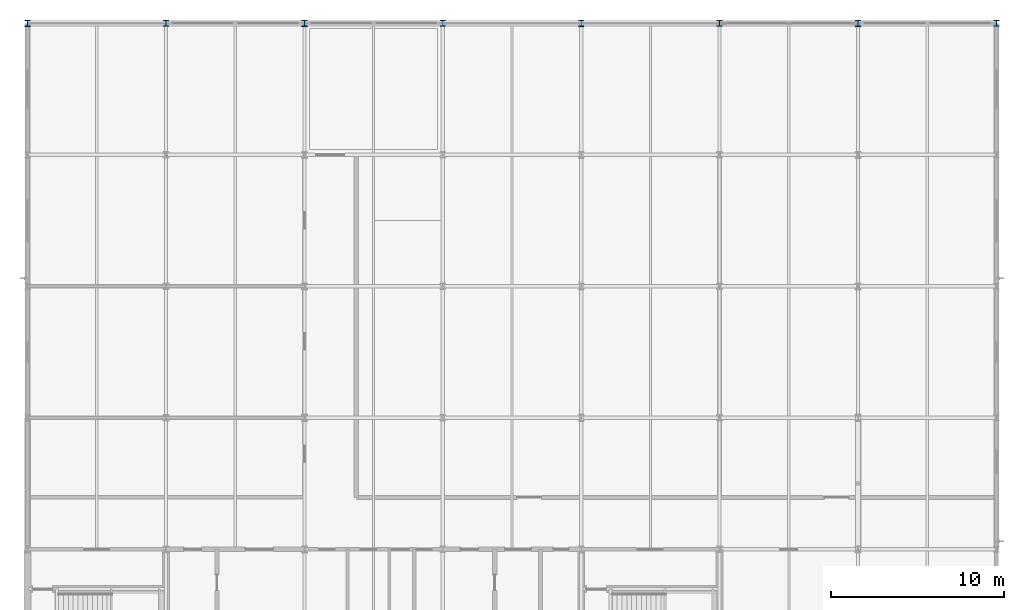
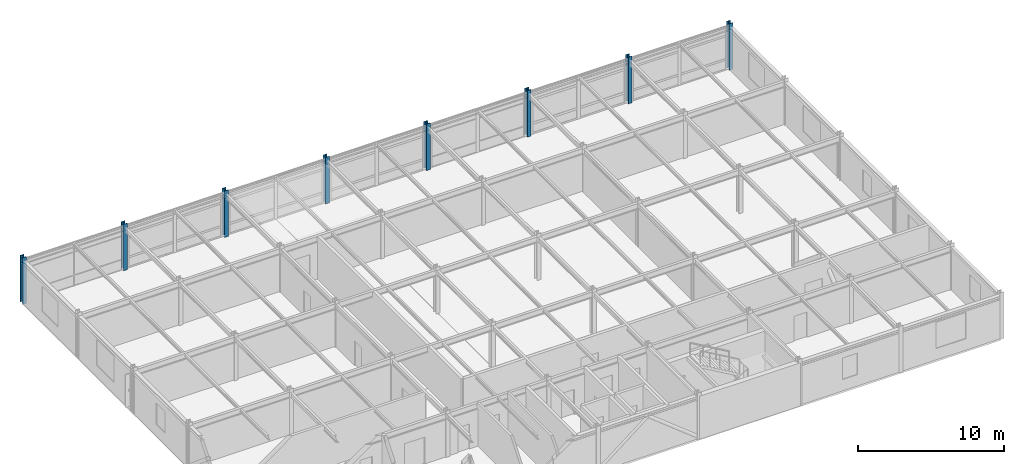
# One storey, part 3 of 15: 8 columns.
"""IFC4 building model written with IfcOpenShell, lengths in metres."""

from ifc_helpers import new_model, si_unit, direction, frame, origin, origin_2d, place, context, subcontext, project, spatial, i_section, extrude, material, material_profile, profile_set, type_object, element, save


model = new_model("IFC4")

# Units and contexts
model_context = context("Model", 3, precision=1e-05, world=origin(), true_north=direction((0.0, 1.0)))
body_context = subcontext(model_context, "Body", "Model", "MODEL_VIEW")
ifc_project = project(units=[si_unit("LENGTHUNIT", "METRE"), si_unit("AREAUNIT", "SQUARE_METRE"), si_unit("VOLUMEUNIT", "CUBIC_METRE"), si_unit("PLANEANGLEUNIT", "RADIAN"), si_unit("MASSUNIT", "GRAM", prefix="KILO")], contexts=[model_context])

# Site, building, storey
site_placement = place(None, origin())
site = spatial("IfcSite", under=ifc_project, at=site_placement, CompositionType="ELEMENT")
building_placement = place(site_placement, origin())
building = spatial("IfcBuilding", under=site, at=building_placement, Name="Shalkamar Park Central Library", CompositionType="ELEMENT")
storey_placement = place(building_placement, frame((0.0, 0.0, 47.699951171875)))
storey = spatial("IfcBuildingStorey", under=building, at=storey_placement, Name="L12", CompositionType="ELEMENT", Elevation=47.699951171875)

# Columns
ifc_material = material(Name="Steel S355", Category="steel")
ifc_material_profile_1 = material_profile(ifc_material, i_section(OverallWidth=0.30908203125, OverallDepth=0.35888671875, WebThickness=0.02099609375, FlangeThickness=0.0400390625, FilletRadius=0.027099609375, at=origin_2d()), Name="HEM 320")
ifc_profile_set_1 = profile_set([ifc_material_profile_1], Name="Steel S355")
column_type_1 = type_object("IfcColumnType", Name="Column Steel HEM320", PredefinedType="COLUMN", material=ifc_profile_set_1)
for number, where, z_axis, x_axis, name in (
    (1, (173.0, 285.60009765625, 0.0), (0.0, 0.0, 1.0), (1.0, 0.0, 0.0), "Column 08/G (L12)"),
    (2, (189.0, 285.60009765625, 0.0), (0.0, 0.0, 1.0), (1.0, 0.0, 0.0), "Column 10/G (L12)"),
    (3, (205.0, 285.60009765625, 0.0), (0.0, 0.0, 1.0), (1.0, 0.0, 0.0), "Column 12/G (L12)"),
    (4, (221.0, 285.60009765625, 0.0), (0.0, 0.0, 1.0), (1.0, 0.0, 0.0), "Column 14/G (L12)"),
):
    element("IfcColumn", number, at=place(storey_placement, frame(where, z_axis=z_axis, x_axis=x_axis)), inside=storey, type_object=column_type_1, Name=name, PredefinedType="COLUMN", context=body_context, shape_type="SweptSolid", body=[
        extrude(i_section(OverallWidth=0.30908203125, OverallDepth=0.35888671875, WebThickness=0.02099609375, FlangeThickness=0.0400390625, FilletRadius=0.027099609375, at=origin_2d()), origin(), (0.0, 0.0, 1.0), 3.900146484375),
    ])
ifc_material_profile_2 = material_profile(ifc_material, i_section(OverallWidth=0.30908203125, OverallDepth=0.376953125, WebThickness=0.02099609375, FlangeThickness=0.0400390625, FilletRadius=0.027099609375, at=origin_2d()), Name="HEM 340")
ifc_profile_set_2 = profile_set([ifc_material_profile_2], Name="Steel S355")
column_type_2 = type_object("IfcColumnType", Name="Column Steel HEM340", PredefinedType="COLUMN", material=ifc_profile_set_2)
for number, where, z_axis, x_axis, name in (
    (5, (165.0, 285.60009765625, 0.0), (0.0, 0.0, 1.0), (1.0, 0.0, 0.0), "Column 07/G (L12)"),
    (6, (181.0, 285.60009765625, 0.0), (0.0, 0.0, 1.0), (1.0, 0.0, 0.0), "Column 09/G (L12)"),
    (7, (197.0, 285.60009765625, 0.0), (0.0, 0.0, 1.0), (1.0, 0.0, 0.0), "Column 11/G (L12)"),
    (8, (213.0, 285.60009765625, 0.0), (0.0, 0.0, 1.0), (1.0, 0.0, 0.0), "Column 13/G (L12)"),
):
    element("IfcColumn", number, at=place(storey_placement, frame(where, z_axis=z_axis, x_axis=x_axis)), inside=storey, type_object=column_type_2, Name=name, PredefinedType="COLUMN", context=body_context, shape_type="SweptSolid", body=[
        extrude(i_section(OverallWidth=0.30908203125, OverallDepth=0.376953125, WebThickness=0.02099609375, FlangeThickness=0.0400390625, FilletRadius=0.027099609375, at=origin_2d()), origin(), (0.0, 0.0, 1.0), 3.900146484375),
    ])

save(model, "model.ifc")
